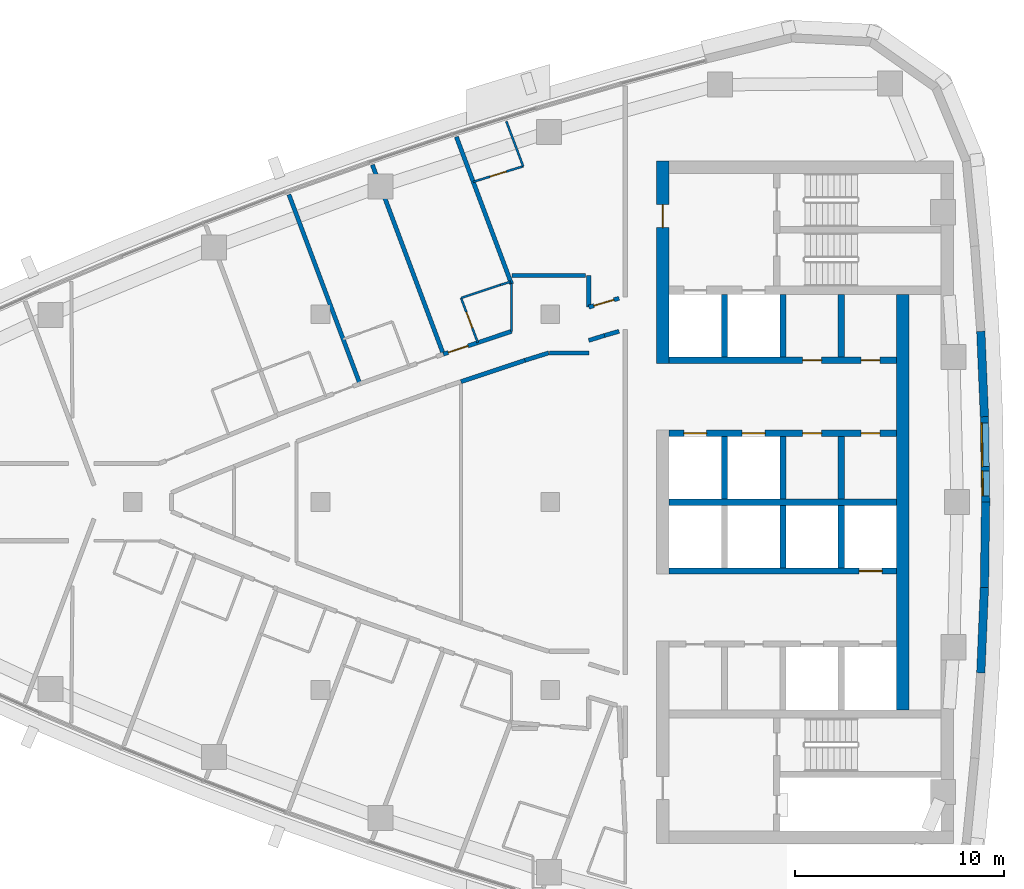
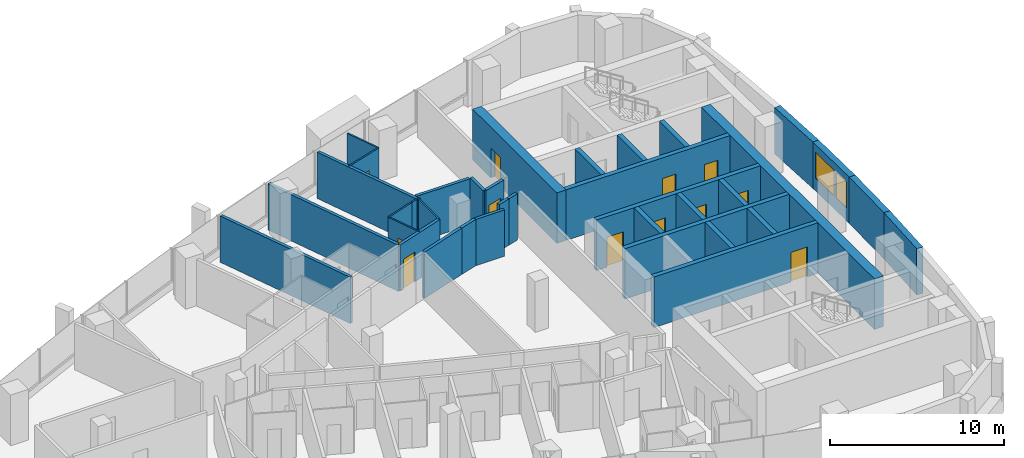
# One storey, part 11 of 16: 36 walls, 12 doors, 2 windows, 14 openings.
"""IFC4 building model written with IfcOpenShell, lengths in metres."""

from ifc_helpers import new_model, si_unit, direction, frame, frame_2d, origin, place, context, subcontext, project, spatial, polyline, rectangle, outline, extrude, material, layer, layer_set, type_object, element, fill, save


model = new_model("IFC4")

# Units and contexts
model_context = context("Model", 3, precision=1e-05, world=origin(), true_north=direction((0.0, 1.0)))
body_context = subcontext(model_context, "Body", "Model", "MODEL_VIEW")
ifc_project = project(units=[si_unit("LENGTHUNIT", "METRE"), si_unit("AREAUNIT", "SQUARE_METRE"), si_unit("VOLUMEUNIT", "CUBIC_METRE"), si_unit("PLANEANGLEUNIT", "RADIAN"), si_unit("MASSUNIT", "GRAM", prefix="KILO")], contexts=[model_context])

# Site, building, storey
site_placement = place(None, origin())
site = spatial("IfcSite", under=ifc_project, at=site_placement, CompositionType="ELEMENT")
building_placement = place(site_placement, origin())
building = spatial("IfcBuilding", under=site, at=building_placement, Name="Ostrand Prow Hotel Tower", CompositionType="ELEMENT")
storey_placement = place(building_placement, frame((0.0, 0.0, 249.199951171875)))
storey = spatial("IfcBuildingStorey", under=building, at=storey_placement, Name="L63", CompositionType="ELEMENT", Elevation=249.199951171875)

# Wall
ifc_material_1 = material(Name="Concrete C50/60", Category="concrete")
ifc_layer_1 = layer(ifc_material_1, 0.300048828125)
ifc_layer_set_1 = layer_set([ifc_layer_1], Name="Concrete C50/60")
wall_type_1 = type_object("IfcWallType", Name="Core wall 300 C50/60", PredefinedType="SHEAR", material=ifc_layer_set_1)
wall_1_placement = place(storey_placement, frame((50.699951171875, 0.0, 0.0), z_axis=(0.0, 0.0, 1.0), x_axis=(1.0, 0.0, 0.0)))
element("IfcWall", 1, at=wall_1_placement, inside=storey, type_object=wall_type_1, Name="Core wall PW-C", PredefinedType="SHEAR", context=body_context, shape_type="SweptSolid", body=[
    extrude(rectangle(XDim=10.900146484375, YDim=0.300048828125, at=frame_2d((5.4501953125, 0.0))), origin(), (0.0, 0.0, 1.0), 3.550048828125),
])

# Wall, openings, doors
wall_2_placement = place(storey_placement, frame((50.699951171875, 3.300048828125, 0.0), z_axis=(0.0, 0.0, 1.0), x_axis=(1.0, 0.0, 0.0)))
wall_2 = element("IfcWall", 2, at=wall_2_placement, inside=storey, type_object=wall_type_1, Name="Core wall PW-L1-N", PredefinedType="SHEAR", context=body_context, shape_type="SweptSolid", body=[
    extrude(rectangle(XDim=10.900146484375, YDim=0.300048828125, at=frame_2d((5.4501953125, 0.0))), origin(), (0.0, 0.0, 1.0), 3.550048828125),
])
opening_1_placement = place(wall_2_placement, frame((0.699951171875, 0.0, 0.0)))
opening_1 = element("IfcOpeningElement", 3, at=opening_1_placement, cuts=wall_2, Name="Opening LD", PredefinedType="OPENING", context=body_context, shape_type="SweptSolid", body=[
    extrude(rectangle(XDim=1.10009765625, YDim=2.10009765625, at=frame_2d((0.550048828125, 1.050048828125))), frame((0.0, 0.159912109375, 0.0), z_axis=(0.0, -1.0, 0.0), x_axis=(1.0, 0.0, 0.0)), (0.0, 0.0, 1.0), 0.320068359375),
])
opening_2_placement = place(wall_2_placement, frame((3.5, 0.0, 0.0)))
opening_2 = element("IfcOpeningElement", 4, at=opening_2_placement, cuts=wall_2, Name="Opening LD", PredefinedType="OPENING", context=body_context, shape_type="SweptSolid", body=[
    extrude(rectangle(XDim=1.10009765625, YDim=2.10009765625, at=frame_2d((0.550048828125, 1.050048828125))), frame((0.0, 0.159912109375, 0.0), z_axis=(0.0, -1.0, 0.0), x_axis=(1.0, 0.0, 0.0)), (0.0, 0.0, 1.0), 0.320068359375),
])
opening_3_placement = place(wall_2_placement, frame((6.39990234375, 0.0, 0.0)))
opening_3 = element("IfcOpeningElement", 5, at=opening_3_placement, cuts=wall_2, Name="Opening FD2", PredefinedType="OPENING", context=body_context, shape_type="SweptSolid", body=[
    extrude(rectangle(XDim=0.89990234375, YDim=2.10009765625, at=frame_2d((0.449951171875, 1.050048828125))), frame((0.0, 0.159912109375, 0.0), z_axis=(0.0, -1.0, 0.0), x_axis=(1.0, 0.0, 0.0)), (0.0, 0.0, 1.0), 0.320068359375),
])
opening_4_placement = place(wall_2_placement, frame((9.199951171875, 0.0, 0.0)))
opening_4 = element("IfcOpeningElement", 6, at=opening_4_placement, cuts=wall_2, Name="Opening FD2", PredefinedType="OPENING", context=body_context, shape_type="SweptSolid", body=[
    extrude(rectangle(XDim=0.89990234375, YDim=2.10009765625, at=frame_2d((0.449951171875, 1.050048828125))), frame((0.0, 0.159912109375, 0.0), z_axis=(0.0, -1.0, 0.0), x_axis=(1.0, 0.0, 0.0)), (0.0, 0.0, 1.0), 0.320068359375),
])
ifc_material_2 = material(Name="Steel fire door", Category="steel")
door_type_1 = type_object("IfcDoorType", Name="Fire door 900 EI120", OperationType="SINGLE_SWING_LEFT", PredefinedType="DOOR", material=ifc_material_2)
door_1_placement = place(opening_3_placement, origin())
door_1 = element("IfcDoor", 7, at=door_1_placement, inside=storey, type_object=door_type_1, Name="DOOR", OperationType="SINGLE_SWING_LEFT", OverallHeight=2.10009765625, OverallWidth=0.89990234375, PredefinedType="DOOR", context=body_context, shape_type="SweptSolid", body=[
    extrude(rectangle(XDim=0.89990234375, YDim=2.10009765625, at=frame_2d((0.449951171875, 1.050048828125))), frame((0.0, 0.02490234375, 0.0), z_axis=(0.0, -1.0, 0.0), x_axis=(1.0, 0.0, 0.0)), (0.0, 0.0, 1.0), 0.050048828125),
])
fill(opening_3, door_1)
door_2_placement = place(opening_4_placement, origin())
door_2 = element("IfcDoor", 8, at=door_2_placement, inside=storey, type_object=door_type_1, Name="DOOR", OperationType="SINGLE_SWING_LEFT", OverallHeight=2.10009765625, OverallWidth=0.89990234375, PredefinedType="DOOR", context=body_context, shape_type="SweptSolid", body=[
    extrude(rectangle(XDim=0.89990234375, YDim=2.10009765625, at=frame_2d((0.449951171875, 1.050048828125))), frame((0.0, 0.02490234375, 0.0), z_axis=(0.0, -1.0, 0.0), x_axis=(1.0, 0.0, 0.0)), (0.0, 0.0, 1.0), 0.050048828125),
])
fill(opening_4, door_2)
ifc_material_3 = material(Name="Stainless steel door", Category="steel")
door_type_2 = type_object("IfcDoorType", Name="Lift landing door 1100", OperationType="DOUBLE_DOOR_SLIDING", PredefinedType="DOOR", material=ifc_material_3)
door_3_placement = place(opening_1_placement, origin())
door_3 = element("IfcDoor", 9, at=door_3_placement, inside=storey, type_object=door_type_2, Name="LIFT LANDING DOOR", OperationType="DOUBLE_DOOR_SLIDING", OverallHeight=2.10009765625, OverallWidth=1.10009765625, PredefinedType="DOOR", context=body_context, shape_type="SweptSolid", body=[
    extrude(rectangle(XDim=1.10009765625, YDim=2.10009765625, at=frame_2d((0.550048828125, 1.050048828125))), frame((0.0, 0.02490234375, 0.0), z_axis=(0.0, -1.0, 0.0), x_axis=(1.0, 0.0, 0.0)), (0.0, 0.0, 1.0), 0.050048828125),
])
fill(opening_1, door_3)
door_4_placement = place(opening_2_placement, origin())
door_4 = element("IfcDoor", 10, at=door_4_placement, inside=storey, type_object=door_type_2, Name="LIFT LANDING DOOR", OperationType="DOUBLE_DOOR_SLIDING", OverallHeight=2.10009765625, OverallWidth=1.10009765625, PredefinedType="DOOR", context=body_context, shape_type="SweptSolid", body=[
    extrude(rectangle(XDim=1.10009765625, YDim=2.10009765625, at=frame_2d((0.550048828125, 1.050048828125))), frame((0.0, 0.02490234375, 0.0), z_axis=(0.0, -1.0, 0.0), x_axis=(1.0, 0.0, 0.0)), (0.0, 0.0, 1.0), 0.050048828125),
])
fill(opening_2, door_4)

wall_3_placement = place(storey_placement, frame((50.699951171875, 6.800048828125, 0.0), z_axis=(0.0, 0.0, 1.0), x_axis=(1.0, 0.0, 0.0)))
wall_3 = element("IfcWall", 11, at=wall_3_placement, inside=storey, type_object=wall_type_1, Name="Core wall PW-L2-N", PredefinedType="SHEAR", context=body_context, shape_type="SweptSolid", body=[
    extrude(rectangle(XDim=10.900146484375, YDim=0.300048828125, at=frame_2d((5.4501953125, 0.0))), origin(), (0.0, 0.0, 1.0), 3.550048828125),
])
opening_5_placement = place(wall_3_placement, frame((6.39990234375, 0.0, 0.0)))
opening_5 = element("IfcOpeningElement", 12, at=opening_5_placement, cuts=wall_3, Name="Opening FD2", PredefinedType="OPENING", context=body_context, shape_type="SweptSolid", body=[
    extrude(rectangle(XDim=0.89990234375, YDim=2.10009765625, at=frame_2d((0.449951171875, 1.050048828125))), frame((0.0, 0.159912109375, 0.0), z_axis=(0.0, -1.0, 0.0), x_axis=(1.0, 0.0, 0.0)), (0.0, 0.0, 1.0), 0.320068359375),
])
opening_6_placement = place(wall_3_placement, frame((9.199951171875, 0.0, 0.0)))
opening_6 = element("IfcOpeningElement", 13, at=opening_6_placement, cuts=wall_3, Name="Opening FD2", PredefinedType="OPENING", context=body_context, shape_type="SweptSolid", body=[
    extrude(rectangle(XDim=0.89990234375, YDim=2.10009765625, at=frame_2d((0.449951171875, 1.050048828125))), frame((0.0, 0.159912109375, 0.0), z_axis=(0.0, -1.0, 0.0), x_axis=(1.0, 0.0, 0.0)), (0.0, 0.0, 1.0), 0.320068359375),
])
door_5_placement = place(opening_5_placement, origin())
door_5 = element("IfcDoor", 14, at=door_5_placement, inside=storey, type_object=door_type_1, Name="DOOR", OperationType="SINGLE_SWING_LEFT", OverallHeight=2.10009765625, OverallWidth=0.89990234375, PredefinedType="DOOR", context=body_context, shape_type="SweptSolid", body=[
    extrude(rectangle(XDim=0.89990234375, YDim=2.10009765625, at=frame_2d((0.449951171875, 1.050048828125))), frame((0.0, 0.02490234375, 0.0), z_axis=(0.0, -1.0, 0.0), x_axis=(1.0, 0.0, 0.0)), (0.0, 0.0, 1.0), 0.050048828125),
])
fill(opening_5, door_5)
door_6_placement = place(opening_6_placement, origin())
door_6 = element("IfcDoor", 15, at=door_6_placement, inside=storey, type_object=door_type_1, Name="DOOR", OperationType="SINGLE_SWING_LEFT", OverallHeight=2.10009765625, OverallWidth=0.89990234375, PredefinedType="DOOR", context=body_context, shape_type="SweptSolid", body=[
    extrude(rectangle(XDim=0.89990234375, YDim=2.10009765625, at=frame_2d((0.449951171875, 1.050048828125))), frame((0.0, 0.02490234375, 0.0), z_axis=(0.0, -1.0, 0.0), x_axis=(1.0, 0.0, 0.0)), (0.0, 0.0, 1.0), 0.050048828125),
])
fill(opening_6, door_6)

# Walls
for number, where, z_axis, x_axis, name in (
    (16, (53.35009765625, 0.14990234375, 0.0), (0.0, 0.0, 1.0), (0.0, 1.0, 0.0), "Core wall PW-R1-NB"),
    (17, (53.35009765625, 6.949951171875, 0.0), (0.0, 0.0, 1.0), (0.0, 1.0, 0.0), "Core wall PW-R1-NA"),
    (18, (56.14990234375, 0.14990234375, 0.0), (0.0, 0.0, 1.0), (0.0, 1.0, 0.0), "Core wall PW-R2-NB"),
    (19, (56.14990234375, 6.949951171875, 0.0), (0.0, 0.0, 1.0), (0.0, 1.0, 0.0), "Core wall PW-R2-NA"),
    (20, (58.949951171875, 0.14990234375, 0.0), (0.0, 0.0, 1.0), (0.0, 1.0, 0.0), "Core wall PW-R3-NB"),
    (21, (58.949951171875, 6.949951171875, 0.0), (0.0, 0.0, 1.0), (0.0, 1.0, 0.0), "Core wall PW-R3-NA"),
):
    element("IfcWall", number, at=place(storey_placement, frame(where, z_axis=z_axis, x_axis=x_axis)), inside=storey, type_object=wall_type_1, Name=name, PredefinedType="SHEAR", context=body_context, shape_type="SweptSolid", body=[
        extrude(rectangle(XDim=3.0, YDim=0.300048828125, at=frame_2d((1.5, 0.0))), origin(), (0.0, 0.0, 1.0), 3.550048828125),
    ])

# Wall, opening, door
wall_4_placement = place(storey_placement, frame((50.699951171875, -3.300048828125, 0.0), z_axis=(0.0, 0.0, 1.0), x_axis=(1.0, 0.0, 0.0)))
wall_4 = element("IfcWall", 22, at=wall_4_placement, inside=storey, type_object=wall_type_1, Name="Core wall PW-L1-S", PredefinedType="SHEAR", context=body_context, shape_type="SweptSolid", body=[
    extrude(rectangle(XDim=10.900146484375, YDim=0.300048828125, at=frame_2d((5.4501953125, 0.0))), origin(), (0.0, 0.0, 1.0), 3.550048828125),
])
opening_7_placement = place(wall_4_placement, frame((9.10009765625, 0.0, 0.0)))
opening_7 = element("IfcOpeningElement", 23, at=opening_7_placement, cuts=wall_4, Name="Opening LD", PredefinedType="OPENING", context=body_context, shape_type="SweptSolid", body=[
    extrude(rectangle(XDim=1.10009765625, YDim=2.10009765625, at=frame_2d((0.550048828125, 1.050048828125))), frame((0.0, 0.159912109375, 0.0), z_axis=(0.0, -1.0, 0.0), x_axis=(1.0, 0.0, 0.0)), (0.0, 0.0, 1.0), 0.320068359375),
])
door_7_placement = place(opening_7_placement, origin())
door_7 = element("IfcDoor", 24, at=door_7_placement, inside=storey, type_object=door_type_2, Name="LIFT LANDING DOOR", OperationType="DOUBLE_DOOR_SLIDING", OverallHeight=2.10009765625, OverallWidth=1.10009765625, PredefinedType="DOOR", context=body_context, shape_type="SweptSolid", body=[
    extrude(rectangle(XDim=1.10009765625, YDim=2.10009765625, at=frame_2d((0.550048828125, 1.050048828125))), frame((0.0, 0.02490234375, 0.0), z_axis=(0.0, -1.0, 0.0), x_axis=(1.0, 0.0, 0.0)), (0.0, 0.0, 1.0), 0.050048828125),
])
fill(opening_7, door_7)

# Walls
for number, where, z_axis, x_axis, name in (
    (25, (56.14990234375, -3.14990234375, 0.0), (0.0, 0.0, 1.0), (0.0, 1.0, 0.0), "Core wall PW-R2-SB"),
    (26, (58.949951171875, -3.14990234375, 0.0), (0.0, 0.0, 1.0), (0.0, 1.0, 0.0), "Core wall PW-R3-SB"),
):
    element("IfcWall", number, at=place(storey_placement, frame(where, z_axis=z_axis, x_axis=x_axis)), inside=storey, type_object=wall_type_1, Name=name, PredefinedType="SHEAR", context=body_context, shape_type="SweptSolid", body=[
        extrude(rectangle(XDim=3.0, YDim=0.300048828125, at=frame_2d((1.5, 0.0))), origin(), (0.0, 0.0, 1.0), 3.550048828125),
    ])

# Wall, opening, door
ifc_material_4 = material(Name="Concrete C50/60", Category="concrete")
ifc_layer_2 = layer(ifc_material_4, 0.60009765625)
ifc_layer_set_2 = layer_set([ifc_layer_2], Name="Concrete C50/60")
wall_type_2 = type_object("IfcWallType", Name="Core wall 600 C50/60", PredefinedType="SHEAR", material=ifc_layer_set_2)
wall_5_placement = place(storey_placement, frame((50.39990234375, 6.64990234375, 0.0), z_axis=(0.0, 0.0, 1.0), x_axis=(0.0, 1.0, 0.0)))
wall_5 = element("IfcWall", 27, at=wall_5_placement, inside=storey, type_object=wall_type_2, Name="Core wall CW-W-N", PredefinedType="SHEAR", context=body_context, shape_type="SweptSolid", body=[
    extrude(rectangle(XDim=9.7001953125, YDim=0.60009765625, at=frame_2d((4.85009765625, 0.0))), origin(), (0.0, 0.0, 1.0), 3.550048828125),
])
opening_8_placement = place(wall_5_placement, frame((6.5, 0.0, 0.0)))
opening_8 = element("IfcOpeningElement", 28, at=opening_8_placement, cuts=wall_5, Name="Opening FD1", PredefinedType="OPENING", context=body_context, shape_type="SweptSolid", body=[
    extrude(rectangle(XDim=1.10009765625, YDim=2.10009765625, at=frame_2d((0.550048828125, 1.050048828125))), frame((0.0, 0.31005859375, 0.0), z_axis=(0.0, -1.0, 0.0), x_axis=(1.0, 0.0, 0.0)), (0.0, 0.0, 1.0), 0.6201171875),
])
ifc_material_5 = material(Name="Steel fire door", Category="steel")
door_type_3 = type_object("IfcDoorType", Name="Fire door 1100 EI120", OperationType="SINGLE_SWING_RIGHT", PredefinedType="DOOR", material=ifc_material_5)
door_8_placement = place(opening_8_placement, origin())
door_8 = element("IfcDoor", 29, at=door_8_placement, inside=storey, type_object=door_type_3, Name="FIRE DOOR", OperationType="SINGLE_SWING_RIGHT", OverallHeight=2.10009765625, OverallWidth=1.10009765625, PredefinedType="DOOR", context=body_context, shape_type="SweptSolid", body=[
    extrude(rectangle(XDim=1.10009765625, YDim=2.10009765625, at=frame_2d((0.550048828125, 1.050048828125))), frame((0.0, 0.02490234375, 0.0), z_axis=(0.0, -1.0, 0.0), x_axis=(1.0, 0.0, 0.0)), (0.0, 0.0, 1.0), 0.050048828125),
])
fill(opening_8, door_8)

# Walls
wall_6_placement = place(storey_placement, frame((61.89990234375, -9.949951171875, 0.0), z_axis=(0.0, 0.0, 1.0), x_axis=(0.0, 1.0, 0.0)))
element("IfcWall", 30, at=wall_6_placement, inside=storey, type_object=wall_type_2, Name="Core wall CW-E-C", PredefinedType="SHEAR", context=body_context, shape_type="SweptSolid", body=[
    extrude(rectangle(XDim=19.89990234375, YDim=0.60009765625, at=frame_2d((9.949951171875, 0.0))), origin(), (0.0, 0.0, 1.0), 3.550048828125),
])
ifc_material_6 = material(Name="Plasterboard partition")
ifc_layer_3 = layer(ifc_material_6, 0.10009765625)
ifc_layer_set_3 = layer_set([ifc_layer_3], Name="Plasterboard partition")
wall_type_3 = type_object("IfcWallType", Name="Partition 100 bathroom wall", PredefinedType="PARTITIONING", material=ifc_layer_set_3)
wall_7_placement = place(storey_placement, frame((40.731689453125, 9.778564453125, 0.0), z_axis=(0.0, 0.0, 1.0), x_axis=(0.948499248693, 0.316779379426, 0.0)))
element("IfcWall", 31, at=wall_7_placement, inside=storey, type_object=wall_type_3, Name="BATHROOM WALL", PredefinedType="PARTITIONING", context=body_context, shape_type="SweptSolid", body=[
    extrude(rectangle(XDim=1.991455078125, YDim=0.10009765625, at=frame_2d((0.99560546875, 0.0))), origin(), (0.0, 0.0, 1.0), 3.25),
])
wall_8_placement = place(storey_placement, frame((42.62060546875, 10.409423828125, 0.0), z_axis=(0.0, 0.0, 1.0), x_axis=(0.954624465478, 0.297812239356, 0.0)))
element("IfcWall", 32, at=wall_8_placement, inside=storey, type_object=wall_type_3, Name="BATHROOM WALL", PredefinedType="PARTITIONING", context=body_context, shape_type="SweptSolid", body=[
    extrude(rectangle(XDim=0.5107421875, YDim=0.10009765625, at=frame_2d((0.25537109375, 0.0))), origin(), (0.0, 0.0, 1.0), 3.25),
])

# Wall, opening, door
wall_9_placement = place(storey_placement, frame((41.53173828125, 7.645263671875, 0.0), z_axis=(0.0, 0.0, 1.0), x_axis=(-0.351146927505, 0.936320370014, 0.0)))
wall_9 = element("IfcWall", 33, at=wall_9_placement, inside=storey, type_object=wall_type_3, Name="BATHROOM WALL", PredefinedType="PARTITIONING", context=body_context, shape_type="SweptSolid", body=[
    extrude(rectangle(XDim=2.2783203125, YDim=0.10009765625, at=frame_2d((1.13916015625, 0.0))), origin(), (0.0, 0.0, 1.0), 3.25),
])
opening_9_placement = place(wall_9_placement, frame((0.75, 0.0, 0.0)))
opening_9 = element("IfcOpeningElement", 34, at=opening_9_placement, cuts=wall_9, Name="Opening D2", PredefinedType="OPENING", context=body_context, shape_type="SweptSolid", body=[
    extrude(rectangle(XDim=0.800048828125, YDim=2.10009765625, at=frame_2d((0.39990234375, 1.050048828125))), frame((0.0, 0.06005859375, 0.0), z_axis=(0.0, -1.0, 0.0), x_axis=(1.0, 0.0, 0.0)), (0.0, 0.0, 1.0), 0.1201171875),
])
ifc_material_7 = material(Name="Timber door leaf", Category="wood")
door_type_4 = type_object("IfcDoorType", Name="Bathroom door 800", OperationType="SINGLE_SWING_LEFT", PredefinedType="DOOR", material=ifc_material_7)
door_9_placement = place(opening_9_placement, origin())
door_9 = element("IfcDoor", 35, at=door_9_placement, inside=storey, type_object=door_type_4, Name="DOOR", OperationType="SINGLE_SWING_LEFT", OverallHeight=2.10009765625, OverallWidth=0.800048828125, PredefinedType="DOOR", context=body_context, shape_type="SweptSolid", body=[
    extrude(rectangle(XDim=0.800048828125, YDim=2.10009765625, at=frame_2d((0.39990234375, 1.050048828125))), frame((0.0, 0.02490234375, 0.0), z_axis=(0.0, -1.0, 0.0), x_axis=(1.0, 0.0, 0.0)), (0.0, 0.0, 1.0), 0.050048828125),
])
fill(opening_9, door_9)

# Wall
wall_10_placement = place(storey_placement, frame((42.896240234375, 18.246826171875, 0.0), z_axis=(0.0, 0.0, 1.0), x_axis=(0.351111827312, -0.936333532841, 0.0)))
element("IfcWall", 36, at=wall_10_placement, inside=storey, type_object=wall_type_3, Name="BATHROOM WALL", PredefinedType="PARTITIONING", context=body_context, shape_type="SweptSolid", body=[
    extrude(rectangle(XDim=2.3037109375, YDim=0.10009765625, at=frame_2d((1.15185546875, 0.0))), origin(), (0.0, 0.0, 1.0), 3.25),
])

# Wall, opening, door
wall_11_placement = place(storey_placement, frame((43.705078125, 16.08984375, 0.0), z_axis=(0.0, 0.0, 1.0), x_axis=(-0.954665433195, -0.297680887299, 0.0)))
wall_11 = element("IfcWall", 37, at=wall_11_placement, inside=storey, type_object=wall_type_3, Name="BATHROOM WALL", PredefinedType="PARTITIONING", context=body_context, shape_type="SweptSolid", body=[
    extrude(rectangle(XDim=2.50390625, YDim=0.10009765625, at=frame_2d((1.251953125, 0.0))), origin(), (0.0, 0.0, 1.0), 3.25),
])
opening_10_placement = place(wall_11_placement, frame((0.85009765625, 0.0, 0.0)))
opening_10 = element("IfcOpeningElement", 38, at=opening_10_placement, cuts=wall_11, Name="Opening D2", PredefinedType="OPENING", context=body_context, shape_type="SweptSolid", body=[
    extrude(rectangle(XDim=0.800048828125, YDim=2.10009765625, at=frame_2d((0.39990234375, 1.050048828125))), frame((0.0, 0.06005859375, 0.0), z_axis=(0.0, -1.0, 0.0), x_axis=(1.0, 0.0, 0.0)), (0.0, 0.0, 1.0), 0.1201171875),
])
door_10_placement = place(opening_10_placement, origin())
door_10 = element("IfcDoor", 39, at=door_10_placement, inside=storey, type_object=door_type_4, Name="DOOR", OperationType="SINGLE_SWING_LEFT", OverallHeight=2.10009765625, OverallWidth=0.800048828125, PredefinedType="DOOR", context=body_context, shape_type="SweptSolid", body=[
    extrude(rectangle(XDim=0.800048828125, YDim=2.10009765625, at=frame_2d((0.39990234375, 1.050048828125))), frame((0.0, 0.02490234375, 0.0), z_axis=(0.0, -1.0, 0.0), x_axis=(1.0, 0.0, 0.0)), (0.0, 0.0, 1.0), 0.050048828125),
])
fill(opening_10, door_10)

# Wall
wall_12_placement = place(storey_placement, frame((43.14501953125, 10.46337890625, 0.0), z_axis=(0.0, 0.0, 1.0), x_axis=(0.0, -1.0, 0.0)))
element("IfcWall", 40, at=wall_12_placement, inside=storey, type_object=wall_type_3, Name="BATHROOM WALL", PredefinedType="PARTITIONING", context=body_context, shape_type="SweptSolid", body=[
    extrude(rectangle(XDim=2.29833984375, YDim=0.10009765625, at=frame_2d((1.149169921875, 0.0))), origin(), (0.0, 0.0, 1.0), 3.25),
])

# Wall, opening, door
ifc_material_8 = material(Name="Plasterboard partition")
ifc_layer_4 = layer(ifc_material_8, 0.199951171875)
ifc_layer_set_4 = layer_set([ifc_layer_4], Name="Plasterboard partition")
wall_type_4 = type_object("IfcWallType", Name="Partition 200 corridor wall", PredefinedType="PARTITIONING", material=ifc_layer_set_4)
wall_13_placement = place(storey_placement, frame((43.14990234375, 8.1826171875, 0.0), z_axis=(0.0, 0.0, 1.0), x_axis=(-0.948477584784, -0.316844238013, 0.0)))
wall_13 = element("IfcWall", 41, at=wall_13_placement, inside=storey, type_object=wall_type_4, Name="CORRIDOR WALL", PredefinedType="PARTITIONING", context=body_context, shape_type="SweptSolid", body=[
    extrude(rectangle(XDim=3.445068359375, YDim=0.199951171875, at=frame_2d((1.72265625, 0.0))), origin(), (0.0, 0.0, 1.0), 3.25),
])
opening_11_placement = place(wall_13_placement, frame((2.199951171875, 0.0, 0.0)))
opening_11 = element("IfcOpeningElement", 42, at=opening_11_placement, cuts=wall_13, Name="Opening D1", PredefinedType="OPENING", context=body_context, shape_type="SweptSolid", body=[
    extrude(rectangle(XDim=1.0, YDim=2.10009765625, at=frame_2d((0.5, 1.050048828125))), frame((0.0, 0.10986328125, 0.0), z_axis=(0.0, -1.0, 0.0), x_axis=(1.0, 0.0, 0.0)), (0.0, 0.0, 1.0), 0.219970703125),
])
ifc_material_9 = material(Name="Timber door leaf", Category="wood")
door_type_5 = type_object("IfcDoorType", Name="Guest room door 1000", OperationType="SINGLE_SWING_LEFT", PredefinedType="DOOR", material=ifc_material_9)
door_11_placement = place(opening_11_placement, origin())
door_11 = element("IfcDoor", 43, at=door_11_placement, inside=storey, type_object=door_type_5, Name="DOOR", OperationType="SINGLE_SWING_LEFT", OverallHeight=2.10009765625, OverallWidth=1.0, PredefinedType="DOOR", context=body_context, shape_type="SweptSolid", body=[
    extrude(rectangle(XDim=1.0, YDim=2.10009765625, at=frame_2d((0.5, 1.050048828125))), frame((0.0, 0.02490234375, 0.0), z_axis=(0.0, -1.0, 0.0), x_axis=(1.0, 0.0, 0.0)), (0.0, 0.0, 1.0), 0.050048828125),
])
fill(opening_11, door_11)

# Walls
wall_14_placement = place(storey_placement, frame((43.788330078125, 6.793212890625, 0.0), z_axis=(0.0, 0.0, 1.0), x_axis=(0.954693570678, 0.29759063511, 0.0)))
element("IfcWall", 44, at=wall_14_placement, inside=storey, type_object=wall_type_4, Name="CORRIDOR WALL", PredefinedType="PARTITIONING", context=body_context, shape_type="SweptSolid", body=[
    extrude(rectangle(XDim=1.198486328125, YDim=0.199951171875, at=frame_2d((0.59912109375, 0.0))), origin(), (0.0, 0.0, 1.0), 3.25),
])
wall_15_placement = place(storey_placement, frame((46.85009765625, 7.747802734375, 0.0), z_axis=(0.0, 0.0, 1.0), x_axis=(0.95461224237, 0.297851417181, 0.0)))
element("IfcWall", 45, at=wall_15_placement, inside=storey, type_object=wall_type_4, Name="CORRIDOR WALL", PredefinedType="PARTITIONING", context=body_context, shape_type="SweptSolid", body=[
    extrude(rectangle(XDim=0.78759765625, YDim=0.199951171875, at=frame_2d((0.393798828125, 0.0))), origin(), (0.0, 0.0, 1.0), 3.25),
])
wall_16_placement = place(storey_placement, frame((40.72509765625, 5.77001953125, 0.0), z_axis=(0.0, 0.0, 1.0), x_axis=(0.948486568618, 0.316817343515, 0.0)))
element("IfcWall", 46, at=wall_16_placement, inside=storey, type_object=wall_type_4, Name="CORRIDOR WALL", PredefinedType="PARTITIONING", context=body_context, shape_type="SweptSolid", body=[
    extrude(rectangle(XDim=3.2294921875, YDim=0.199951171875, at=frame_2d((1.61474609375, 0.0))), origin(), (0.0, 0.0, 1.0), 3.25),
])

# Wall, opening, door
wall_17_placement = place(storey_placement, frame((48.300048828125, 9.76611328125, 0.0), z_axis=(0.0, 0.0, 1.0), x_axis=(-0.95944263903, -0.281903924079, 0.0)))
wall_17 = element("IfcWall", 47, at=wall_17_placement, inside=storey, type_object=wall_type_4, Name="CORRIDOR WALL", PredefinedType="PARTITIONING", context=body_context, shape_type="SweptSolid", body=[
    extrude(rectangle(XDim=1.51123046875, YDim=0.199951171875, at=frame_2d((0.755615234375, 0.0))), origin(), (0.0, 0.0, 1.0), 3.25),
])
opening_12_placement = place(wall_17_placement, frame((0.256103515625, 0.0, 0.0)))
opening_12 = element("IfcOpeningElement", 48, at=opening_12_placement, cuts=wall_17, Name="Opening D1", PredefinedType="OPENING", context=body_context, shape_type="SweptSolid", body=[
    extrude(rectangle(XDim=1.0, YDim=2.10009765625, at=frame_2d((0.5, 1.050048828125))), frame((0.0, 0.10986328125, 0.0), z_axis=(0.0, -1.0, 0.0), x_axis=(1.0, 0.0, 0.0)), (0.0, 0.0, 1.0), 0.219970703125),
])
door_12_placement = place(opening_12_placement, origin())
door_12 = element("IfcDoor", 49, at=door_12_placement, inside=storey, type_object=door_type_5, Name="DOOR", OperationType="SINGLE_SWING_LEFT", OverallHeight=2.10009765625, OverallWidth=1.0, PredefinedType="DOOR", context=body_context, shape_type="SweptSolid", body=[
    extrude(rectangle(XDim=1.0, YDim=2.10009765625, at=frame_2d((0.5, 1.050048828125))), frame((0.0, 0.02490234375, 0.0), z_axis=(0.0, -1.0, 0.0), x_axis=(1.0, 0.0, 0.0)), (0.0, 0.0, 1.0), 0.050048828125),
])
fill(opening_12, door_12)

# Walls
wall_18_placement = place(storey_placement, frame((47.60205078125, 7.982421875, 0.0), z_axis=(0.0, 0.0, 1.0), x_axis=(0.960439023181, 0.278490363839, 0.0)))
element("IfcWall", 50, at=wall_18_placement, inside=storey, type_object=wall_type_4, Name="CORRIDOR WALL", PredefinedType="PARTITIONING", context=body_context, shape_type="SweptSolid", body=[
    extrude(rectangle(XDim=0.726806640625, YDim=0.199951171875, at=frame_2d((0.36328125, 0.0))), origin(), (0.0, 0.0, 1.0), 3.25),
])
wall_19_placement = place(storey_placement, frame((44.972412109375, 7.14501953125, 0.0), z_axis=(0.0, 0.0, 1.0), x_axis=(0.99999999156, 0.000129920747, 0.0)))
element("IfcWall", 51, at=wall_19_placement, inside=storey, type_object=wall_type_4, Name="CORRIDOR WALL", PredefinedType="PARTITIONING", context=body_context, shape_type="SweptSolid", body=[
    extrude(rectangle(XDim=1.879150390625, YDim=0.199951171875, at=frame_2d((0.939453125, 0.0))), origin(), (0.0, 0.0, 1.0), 3.25),
])
wall_20_placement = place(storey_placement, frame((46.85009765625, 9.340087890625, 0.0), z_axis=(0.0, 0.0, 1.0), x_axis=(0.000322320692, 0.999999948055, 0.0)))
element("IfcWall", 52, at=wall_20_placement, inside=storey, type_object=wall_type_4, Name="CORRIDOR WALL", PredefinedType="PARTITIONING", context=body_context, shape_type="SweptSolid", body=[
    extrude(rectangle(XDim=1.514892578125, YDim=0.199951171875, at=frame_2d((0.75732421875, 0.0))), origin(), (0.0, 0.0, 1.0), 3.25),
])
ifc_material_10 = material(Name="Plasterboard partition")
ifc_layer_5 = layer(ifc_material_10, 0.199951171875)
ifc_layer_set_5 = layer_set([ifc_layer_5], Name="Plasterboard partition")
wall_type_5 = type_object("IfcWallType", Name="Partition 200 key partition", PredefinedType="PARTITIONING", material=ifc_layer_set_5)
wall_21_placement = place(storey_placement, frame((35.888916015625, 5.654296875, 0.0), z_axis=(0.0, 0.0, 1.0), x_axis=(-0.351117925717, 0.936331246002, 0.0)))
element("IfcWall", 53, at=wall_21_placement, inside=storey, type_object=wall_type_5, Name="KEY PARTITION", PredefinedType="PARTITIONING", context=body_context, shape_type="SweptSolid", body=[
    extrude(rectangle(XDim=9.701171875, YDim=0.199951171875, at=frame_2d((4.8505859375, 0.0))), origin(), (0.0, 0.0, 1.0), 3.25),
])
wall_22_placement = place(storey_placement, frame((39.889404296875, 7.072265625, 0.0), z_axis=(0.0, 0.0, 1.0), x_axis=(-0.35112895446, 0.936327110224, 0.0)))
element("IfcWall", 54, at=wall_22_placement, inside=storey, type_object=wall_type_5, Name="KEY PARTITION", PredefinedType="PARTITIONING", context=body_context, shape_type="SweptSolid", body=[
    extrude(rectangle(XDim=9.706298828125, YDim=0.199951171875, at=frame_2d((4.85302734375, 0.0))), origin(), (0.0, 0.0, 1.0), 3.25),
])
wall_23_placement = place(storey_placement, frame((43.14990234375, 10.449951171875, 0.0), z_axis=(0.0, 0.0, 1.0), x_axis=(-0.351119888923, 0.936330509811, 0.0)))
element("IfcWall", 55, at=wall_23_placement, inside=storey, type_object=wall_type_5, Name="KEY PARTITION", PredefinedType="PARTITIONING", context=body_context, shape_type="SweptSolid", body=[
    extrude(rectangle(XDim=7.531005859375, YDim=0.199951171875, at=frame_2d((3.765625, 0.0))), origin(), (0.0, 0.0, 1.0), 3.25),
])
wall_24_placement = place(storey_placement, frame((43.16015625, 10.85009765625, 0.0), z_axis=(0.0, 0.0, 1.0), x_axis=(1.0, 0.0, 0.0)))
element("IfcWall", 56, at=wall_24_placement, inside=storey, type_object=wall_type_5, Name="KEY PARTITION", PredefinedType="PARTITIONING", context=body_context, shape_type="SweptSolid", body=[
    extrude(rectangle(XDim=3.540283203125, YDim=0.199951171875, at=frame_2d((1.77001953125, 0.0))), origin(), (0.0, 0.0, 1.0), 3.25),
])
ifc_material_11 = material(Name="Precast concrete C40/50", Category="concrete")
ifc_layer_6 = layer(ifc_material_11, 0.39990234375)
ifc_layer_set_6 = layer_set([ifc_layer_6], Name="Precast concrete C40/50")
wall_type_6 = type_object("IfcWallType", Name="Stone-faced precast wall 400 mm", PredefinedType="NOTDEFINED", material=ifc_layer_set_6)
wall_25_placement = place(storey_placement, frame((65.630615234375, -8.181640625, 0.0), z_axis=(0.0, 0.0, 1.0), x_axis=(0.042352554594, 0.999102728011, 0.0)))
element("IfcWall", 57, at=wall_25_placement, inside=storey, type_object=wall_type_6, Name="Stone-faced wall back 7", PredefinedType="NOTDEFINED", context=body_context, shape_type="SweptSolid", body=[
    extrude(outline(polyline([(-0.002685546875, -0.199951171875), (4.095458984375, -0.199951171875), (4.090087890625, 0.199951171875), (0.002685546875, 0.199951171875), (-0.002685546875, -0.199951171875)])), origin(), (0.0, 0.0, 1.0), 3.25),
])
wall_26_placement = place(storey_placement, frame((65.803955078125, -4.092529296875, 0.0), z_axis=(0.0, 0.0, 1.0), x_axis=(0.014136867892, 0.99990006949, 0.0)))
element("IfcWall", 58, at=wall_26_placement, inside=storey, type_object=wall_type_6, Name="Stone-faced wall back 8", PredefinedType="NOTDEFINED", context=body_context, shape_type="SweptSolid", body=[
    extrude(outline(polyline([(-0.002685546875, -0.199951171875), (4.095703125, -0.199951171875), (4.09033203125, 0.199951171875), (0.002685546875, 0.199951171875), (-0.002685546875, -0.199951171875)])), origin(), (0.0, 0.0, 1.0), 3.25),
])

# Wall, openings, windows
wall_27_placement = place(storey_placement, frame((65.86181640625, 0.0, 0.0), z_axis=(0.0, 0.0, 1.0), x_axis=(-0.014136867892, 0.99990006949, 0.0)))
wall_27 = element("IfcWall", 59, at=wall_27_placement, inside=storey, type_object=wall_type_6, Name="Stone-faced wall back 9", PredefinedType="NOTDEFINED", context=body_context, shape_type="SweptSolid", body=[
    extrude(outline(polyline([(-0.002685546875, -0.199951171875), (4.095703125, -0.199951171875), (4.09033203125, 0.199951171875), (0.002685546875, 0.199951171875), (-0.002685546875, -0.199951171875)])), origin(), (0.0, 0.0, 1.0), 3.25),
])
opening_13_placement = place(wall_27_placement, frame((0.29638671875, 0.0, 0.89990234375)))
opening_13 = element("IfcOpeningElement", 60, at=opening_13_placement, cuts=wall_27, Name="Opening WS4", PredefinedType="OPENING", context=body_context, shape_type="SweptSolid", body=[
    extrude(rectangle(XDim=1.199951171875, YDim=1.800048828125, at=frame_2d((0.60009765625, 0.89990234375))), frame((0.0, 0.2099609375, 0.0), z_axis=(0.0, -1.0, 0.0), x_axis=(1.0, 0.0, 0.0)), (0.0, 0.0, 1.0), 0.419921875),
])
opening_14_placement = place(wall_27_placement, frame((1.696533203125, 0.0, 0.89990234375)))
opening_14 = element("IfcOpeningElement", 61, at=opening_14_placement, cuts=wall_27, Name="Opening WS5-21", PredefinedType="OPENING", context=body_context, shape_type="SweptSolid", body=[
    extrude(rectangle(XDim=2.10009765625, YDim=1.800048828125, at=frame_2d((1.050048828125, 0.89990234375))), frame((0.0, 0.2099609375, 0.0), z_axis=(0.0, -1.0, 0.0), x_axis=(1.0, 0.0, 0.0)), (0.0, 0.0, 1.0), 0.419921875),
])
ifc_material_12 = material(Name="Insulated glass in bronze frame", Category="glass")
window_type_1 = type_object("IfcWindowType", Name="Fixed strip window 2100x1800", PartitioningType="SINGLE_PANEL", PredefinedType="WINDOW", material=ifc_material_12)
window_1_placement = place(opening_14_placement, origin())
window_1 = element("IfcWindow", 62, at=window_1_placement, inside=storey, type_object=window_type_1, Name="Window back 9.2", OverallHeight=1.800048828125, OverallWidth=2.10009765625, PartitioningType="SINGLE_PANEL", PredefinedType="WINDOW", context=body_context, shape_type="SweptSolid", body=[
    extrude(rectangle(XDim=2.10009765625, YDim=1.800048828125, at=frame_2d((1.050048828125, 0.89990234375))), frame((0.0, 0.169921875, 0.0), z_axis=(0.0, -1.0, 0.0), x_axis=(1.0, 0.0, 0.0)), (0.0, 0.0, 1.0), 0.06005859375),
])
fill(opening_14, window_1)
ifc_material_13 = material(Name="Insulated glass in bronze frame", Category="glass")
window_type_2 = type_object("IfcWindowType", Name="Operable strip panel 1200x1800", PartitioningType="SINGLE_PANEL", PredefinedType="WINDOW", material=ifc_material_13)
window_2_placement = place(opening_13_placement, origin())
window_2 = element("IfcWindow", 63, at=window_2_placement, inside=storey, type_object=window_type_2, Name="Window back 9.1", OverallHeight=1.800048828125, OverallWidth=1.199951171875, PartitioningType="SINGLE_PANEL", PredefinedType="WINDOW", context=body_context, shape_type="SweptSolid", body=[
    extrude(rectangle(XDim=1.199951171875, YDim=1.800048828125, at=frame_2d((0.60009765625, 0.89990234375))), frame((0.0, 0.169921875, 0.0), z_axis=(0.0, -1.0, 0.0), x_axis=(1.0, 0.0, 0.0)), (0.0, 0.0, 1.0), 0.06005859375),
])
fill(opening_13, window_2)

# Wall
wall_28_placement = place(storey_placement, frame((65.803955078125, 4.092529296875, 0.0), z_axis=(0.0, 0.0, 1.0), x_axis=(-0.042352554594, 0.999102728011, 0.0)))
element("IfcWall", 64, at=wall_28_placement, inside=storey, type_object=wall_type_6, Name="Stone-faced wall back 10", PredefinedType="NOTDEFINED", context=body_context, shape_type="SweptSolid", body=[
    extrude(outline(polyline([(-0.002685546875, -0.199951171875), (4.095458984375, -0.199951171875), (4.090087890625, 0.199951171875), (0.002685546875, 0.199951171875), (-0.002685546875, -0.199951171875)])), origin(), (0.0, 0.0, 1.0), 3.25),
])

save(model, "model.ifc")
